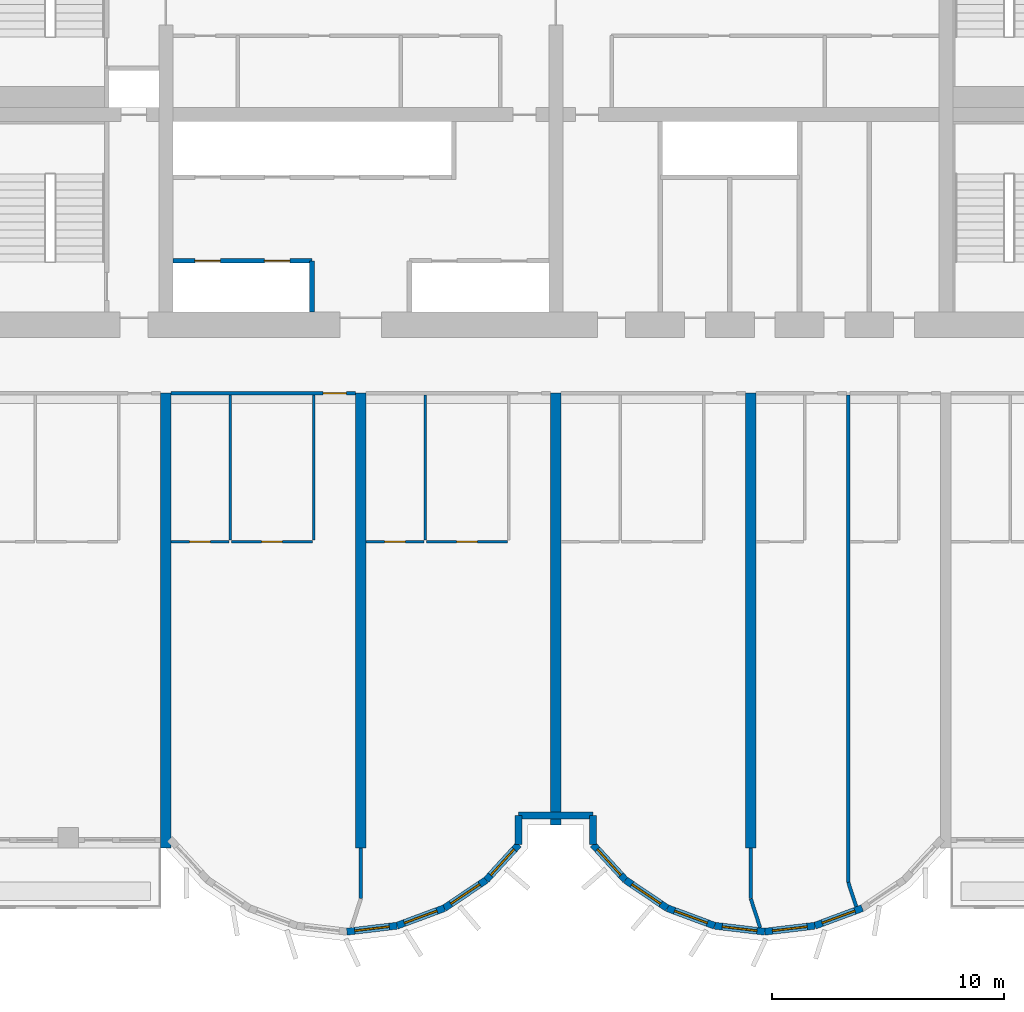
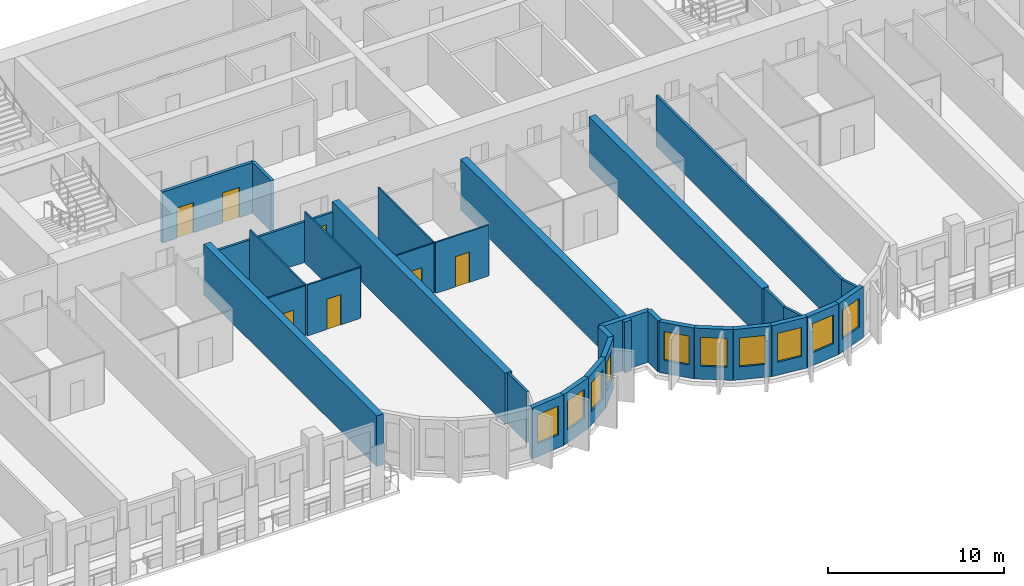
# One storey, part 4 of 14: 32 walls, 10 windows, 7 doors, 17 openings.
"""IFC4 building model written with IfcOpenShell, lengths in metres."""

from ifc_helpers import new_model, si_unit, direction, frame, frame_2d, origin, place, context, subcontext, project, spatial, rectangle, extrude, source, transform, mapped, material, layer, layer_set, type_object, element, fill, save


model = new_model("IFC4")

# Units and contexts
model_context = context("Model", 3, precision=1e-05, world=origin(), true_north=direction((0.0, 1.0)))
body_context = subcontext(model_context, "Body", "Model", "MODEL_VIEW")
ifc_project = project(units=[si_unit("LENGTHUNIT", "METRE"), si_unit("AREAUNIT", "SQUARE_METRE"), si_unit("VOLUMEUNIT", "CUBIC_METRE"), si_unit("PLANEANGLEUNIT", "RADIAN"), si_unit("MASSUNIT", "GRAM", prefix="KILO")], contexts=[model_context])

# Site, building, storey
site_placement = place(None, origin())
site = spatial("IfcSite", under=ifc_project, at=site_placement, CompositionType="ELEMENT")
building_placement = place(site_placement, origin())
building = spatial("IfcBuilding", under=site, at=building_placement, Name="Vanashikhar Sky Hotel", CompositionType="ELEMENT")
storey_placement = place(building_placement, frame((0.0, 0.0, 43.0)))
storey = spatial("IfcBuildingStorey", under=building, at=storey_placement, Name="L09", CompositionType="ELEMENT", Elevation=43.0)

# Walls
ifc_material_1 = material(Name="Concrete M80", Category="concrete")
ifc_layer_1 = layer(ifc_material_1, 0.449951171875)
ifc_layer_set_1 = layer_set([ifc_layer_1], Name="RC shear wall 450 Concrete M80")
wall_type_1 = type_object("IfcWallType", Name="RC shear wall 450 Concrete M80", PredefinedType="SHEAR", material=ifc_layer_set_1)
shared_shape_1 = source(origin(), body_context, "Body", "SweptSolid", [
    extrude(rectangle(XDim=19.60009765625, YDim=0.449951171875, at=frame_2d((9.800048828125, 0.0))), origin(), (0.0, 0.0, 1.0), 3.52001953125),
])
for number, where, z_axis, x_axis, name in (
    (1, (33.60009765625, 0.0, 0.0), (0.0, 0.0, 1.0), (0.0, 1.0, 0.0), "CW-L09-XW05-1"),
    (2, (42.0, 0.0, 0.0), (0.0, 0.0, 1.0), (0.0, 1.0, 0.0), "CW-L09-XW06-1"),
    (3, (58.800048828125, 0.0, 0.0), (0.0, 0.0, 1.0), (0.0, 1.0, 0.0), "CW-L09-XW08-1"),
):
    element("IfcWall", number, at=place(storey_placement, frame(where, z_axis=z_axis, x_axis=x_axis)), inside=storey, type_object=wall_type_1, Name=name, PredefinedType="SHEAR", context=body_context, shape_type="MappedRepresentation", body=[
        mapped(shared_shape_1, transform((0.0, 0.0, 0.0), scale=1.0)),
    ])
shared_shape_2 = source(origin(), body_context, "Body", "SweptSolid", [
    extrude(rectangle(XDim=18.60009765625, YDim=0.449951171875, at=frame_2d((9.300048828125, 0.0))), origin(), (0.0, 0.0, 1.0), 3.52001953125),
])
wall_1_placement = place(storey_placement, frame((50.39990234375, 1.0, 0.0), z_axis=(0.0, 0.0, 1.0), x_axis=(0.0, 1.0, 0.0)))
element("IfcWall", 4, at=wall_1_placement, inside=storey, type_object=wall_type_1, Name="CW-L09-XW07-1", PredefinedType="SHEAR", context=body_context, shape_type="MappedRepresentation", body=[
    mapped(shared_shape_2, transform((0.0, 0.0, 0.0), scale=1.0)),
])

# Wall, opening, window
ifc_material_2 = material(Name="Concrete M50", Category="concrete")
ifc_layer_2 = layer(ifc_material_2, 0.300048828125)
ifc_layer_set_2 = layer_set([ifc_layer_2], Name="Lobe wall 300")
wall_type_2 = type_object("IfcWallType", Name="Lobe wall 300", PredefinedType="SOLIDWALL", material=ifc_layer_set_2)
shared_shape_3 = source(origin(), body_context, "Body", "SweptSolid", [
    extrude(rectangle(XDim=2.17578125, YDim=0.300048828125, at=frame_2d((1.087890625, 0.0))), origin(), (0.0, 0.0, 1.0), 3.52001953125),
])
wall_2_placement = place(storey_placement, frame((45.59912109375, -2.58349609375, 0.0), z_axis=(0.0, 0.0, 1.0), x_axis=(0.829625727223, 0.558319937607, 0.0)))
wall_2 = element("IfcWall", 5, at=wall_2_placement, inside=storey, type_object=wall_type_2, Name="Lobe wall", PredefinedType="SOLIDWALL", context=body_context, shape_type="MappedRepresentation", body=[
    mapped(shared_shape_3, transform((0.0, 0.0, 0.0), scale=1.0)),
])
shared_shape_4 = source(origin(), body_context, "Body", "SweptSolid", [
    extrude(rectangle(XDim=1.5, YDim=2.0, at=frame_2d((0.75, 1.0))), frame((0.0, 0.16015625, 0.0), z_axis=(0.0, -1.0, 0.0), x_axis=(1.0, 0.0, 0.0)), (0.0, 0.0, 1.0), 0.320068359375),
])
opening_1_placement = place(wall_2_placement, frame((0.337890625, 0.0, 0.89990234375)))
opening_1 = element("IfcOpeningElement", 6, at=opening_1_placement, cuts=wall_2, Name="Opening WN-2", PredefinedType="OPENING", context=body_context, shape_type="MappedRepresentation", body=[
    mapped(shared_shape_4, transform((0.0, 0.0, 0.0), scale=1.0)),
])
ifc_material_3 = material(Name="Glass", Category="glass")
window_type = type_object("IfcWindowType", Name="Lobe window 1500 x 2000", PartitioningType="SINGLE_PANEL", PredefinedType="WINDOW", material=ifc_material_3)
shared_shape_5 = source(origin(), body_context, "Body", "SweptSolid", [
    extrude(rectangle(XDim=1.5, YDim=2.0, at=frame_2d((0.75, 1.0))), frame((0.0, 0.030029296875, 0.0), z_axis=(0.0, -1.0, 0.0), x_axis=(1.0, 0.0, 0.0)), (0.0, 0.0, 1.0), 0.06005859375),
])
window_1_placement = place(opening_1_placement, origin())
window_1 = element("IfcWindow", 7, at=window_1_placement, inside=storey, type_object=window_type, Name="Window WN-2", OverallHeight=2.0, OverallWidth=1.5, PartitioningType="SINGLE_PANEL", PredefinedType="WINDOW", context=body_context, shape_type="MappedRepresentation", body=[
    mapped(shared_shape_5, transform((0.0, 0.0, 0.0), scale=1.0)),
])
fill(opening_1, window_1)

wall_3_placement = place(storey_placement, frame((53.395751953125, -1.36865234375, 0.0), z_axis=(0.0, 0.0, 1.0), x_axis=(0.829590746428, -0.558371913192, 0.0)))
wall_3 = element("IfcWall", 8, at=wall_3_placement, inside=storey, type_object=wall_type_2, Name="Lobe wall", PredefinedType="SOLIDWALL", context=body_context, shape_type="MappedRepresentation", body=[
    mapped(shared_shape_3, transform((0.0, 0.0, 0.0), scale=1.0)),
])
opening_2_placement = place(wall_3_placement, frame((0.337890625, 0.0, 0.89990234375)))
opening_2 = element("IfcOpeningElement", 9, at=opening_2_placement, cuts=wall_3, Name="Opening WN-2", PredefinedType="OPENING", context=body_context, shape_type="MappedRepresentation", body=[
    mapped(shared_shape_4, transform((0.0, 0.0, 0.0), scale=1.0)),
])
window_2_placement = place(opening_2_placement, origin())
window_2 = element("IfcWindow", 10, at=window_2_placement, inside=storey, type_object=window_type, Name="Window WN-2", OverallHeight=2.0, OverallWidth=1.5, PartitioningType="SINGLE_PANEL", PredefinedType="WINDOW", context=body_context, shape_type="MappedRepresentation", body=[
    mapped(shared_shape_5, transform((0.0, 0.0, 0.0), scale=1.0)),
])
fill(opening_2, window_2)

wall_4_placement = place(storey_placement, frame((55.20068359375, -2.58349609375, 0.0), z_axis=(0.0, 0.0, 1.0), x_axis=(0.93754555999, -0.347862505801, 0.0)))
wall_4 = element("IfcWall", 11, at=wall_4_placement, inside=storey, type_object=wall_type_2, Name="Lobe wall", PredefinedType="SOLIDWALL", context=body_context, shape_type="MappedRepresentation", body=[
    mapped(shared_shape_3, transform((0.0, 0.0, 0.0), scale=1.0)),
])
opening_3_placement = place(wall_4_placement, frame((0.337890625, 0.0, 0.89990234375)))
opening_3 = element("IfcOpeningElement", 12, at=opening_3_placement, cuts=wall_4, Name="Opening WN-2", PredefinedType="OPENING", context=body_context, shape_type="MappedRepresentation", body=[
    mapped(shared_shape_4, transform((0.0, 0.0, 0.0), scale=1.0)),
])
window_3_placement = place(opening_3_placement, origin())
window_3 = element("IfcWindow", 13, at=window_3_placement, inside=storey, type_object=window_type, Name="Window WN-2", OverallHeight=2.0, OverallWidth=1.5, PartitioningType="SINGLE_PANEL", PredefinedType="WINDOW", context=body_context, shape_type="MappedRepresentation", body=[
    mapped(shared_shape_5, transform((0.0, 0.0, 0.0), scale=1.0)),
])
fill(opening_3, window_3)

shared_shape_6 = source(origin(), body_context, "Body", "SweptSolid", [
    extrude(rectangle(XDim=2.174560546875, YDim=0.300048828125, at=frame_2d((1.08740234375, 0.0))), origin(), (0.0, 0.0, 1.0), 3.52001953125),
])
wall_5_placement = place(storey_placement, frame((57.240478515625, -3.34033203125, 0.0), z_axis=(0.0, 0.0, 1.0), x_axis=(0.993001132889, -0.118104826659, 0.0)))
wall_5 = element("IfcWall", 14, at=wall_5_placement, inside=storey, type_object=wall_type_2, Name="Lobe wall", PredefinedType="SOLIDWALL", context=body_context, shape_type="MappedRepresentation", body=[
    mapped(shared_shape_6, transform((0.0, 0.0, 0.0), scale=1.0)),
])
opening_4_placement = place(wall_5_placement, frame((0.33740234375, 0.0, 0.89990234375)))
opening_4 = element("IfcOpeningElement", 15, at=opening_4_placement, cuts=wall_5, Name="Opening WN-2", PredefinedType="OPENING", context=body_context, shape_type="MappedRepresentation", body=[
    mapped(shared_shape_4, transform((0.0, 0.0, 0.0), scale=1.0)),
])
window_4_placement = place(opening_4_placement, origin())
window_4 = element("IfcWindow", 16, at=window_4_placement, inside=storey, type_object=window_type, Name="Window WN-2", OverallHeight=2.0, OverallWidth=1.5, PartitioningType="SINGLE_PANEL", PredefinedType="WINDOW", context=body_context, shape_type="MappedRepresentation", body=[
    mapped(shared_shape_5, transform((0.0, 0.0, 0.0), scale=1.0)),
])
fill(opening_4, window_4)

shared_shape_7 = source(origin(), body_context, "Body", "SweptSolid", [
    extrude(rectangle(XDim=2.1748046875, YDim=0.300048828125, at=frame_2d((1.08740234375, 0.0))), origin(), (0.0, 0.0, 1.0), 3.52001953125),
])
wall_6_placement = place(storey_placement, frame((41.39990234375, -3.59716796875, 0.0), z_axis=(0.0, 0.0, 1.0), x_axis=(0.993002698611, 0.118091661648, 0.0)))
wall_6 = element("IfcWall", 17, at=wall_6_placement, inside=storey, type_object=wall_type_2, Name="Lobe wall", PredefinedType="SOLIDWALL", context=body_context, shape_type="MappedRepresentation", body=[
    mapped(shared_shape_7, transform((0.0, 0.0, 0.0), scale=1.0)),
])
opening_5_placement = place(wall_6_placement, frame((0.33740234375, 0.0, 0.89990234375)))
opening_5 = element("IfcOpeningElement", 18, at=opening_5_placement, cuts=wall_6, Name="Opening WN-2", PredefinedType="OPENING", context=body_context, shape_type="MappedRepresentation", body=[
    mapped(shared_shape_4, transform((0.0, 0.0, 0.0), scale=1.0)),
])
window_5_placement = place(opening_5_placement, origin())
window_5 = element("IfcWindow", 19, at=window_5_placement, inside=storey, type_object=window_type, Name="Window WN-2", OverallHeight=2.0, OverallWidth=1.5, PartitioningType="SINGLE_PANEL", PredefinedType="WINDOW", context=body_context, shape_type="MappedRepresentation", body=[
    mapped(shared_shape_5, transform((0.0, 0.0, 0.0), scale=1.0)),
])
fill(opening_5, window_5)

wall_7_placement = place(storey_placement, frame((59.39990234375, -3.59716796875, 0.0), z_axis=(0.0, 0.0, 1.0), x_axis=(0.993002698611, 0.118091661648, 0.0)))
wall_7 = element("IfcWall", 20, at=wall_7_placement, inside=storey, type_object=wall_type_2, Name="Lobe wall", PredefinedType="SOLIDWALL", context=body_context, shape_type="MappedRepresentation", body=[
    mapped(shared_shape_7, transform((0.0, 0.0, 0.0), scale=1.0)),
])
opening_6_placement = place(wall_7_placement, frame((0.33740234375, 0.0, 0.89990234375)))
opening_6 = element("IfcOpeningElement", 21, at=opening_6_placement, cuts=wall_7, Name="Opening WN-2", PredefinedType="OPENING", context=body_context, shape_type="MappedRepresentation", body=[
    mapped(shared_shape_4, transform((0.0, 0.0, 0.0), scale=1.0)),
])
window_6_placement = place(opening_6_placement, origin())
window_6 = element("IfcWindow", 22, at=window_6_placement, inside=storey, type_object=window_type, Name="Window WN-2", OverallHeight=2.0, OverallWidth=1.5, PartitioningType="SINGLE_PANEL", PredefinedType="WINDOW", context=body_context, shape_type="MappedRepresentation", body=[
    mapped(shared_shape_5, transform((0.0, 0.0, 0.0), scale=1.0)),
])
fill(opening_6, window_6)

shared_shape_8 = source(origin(), body_context, "Body", "SweptSolid", [
    extrude(rectangle(XDim=2.175537109375, YDim=0.300048828125, at=frame_2d((1.087890625, 0.0))), origin(), (0.0, 0.0, 1.0), 3.52001953125),
])
wall_8_placement = place(storey_placement, frame((43.5595703125, -3.34033203125, 0.0), z_axis=(0.0, 0.0, 1.0), x_axis=(0.937531979054, 0.347899106424, 0.0)))
wall_8 = element("IfcWall", 23, at=wall_8_placement, inside=storey, type_object=wall_type_2, Name="Lobe wall", PredefinedType="SOLIDWALL", context=body_context, shape_type="MappedRepresentation", body=[
    mapped(shared_shape_8, transform((0.0, 0.0, 0.0), scale=1.0)),
])
opening_7_placement = place(wall_8_placement, frame((0.337890625, 0.0, 0.89990234375)))
opening_7 = element("IfcOpeningElement", 24, at=opening_7_placement, cuts=wall_8, Name="Opening WN-2", PredefinedType="OPENING", context=body_context, shape_type="MappedRepresentation", body=[
    mapped(shared_shape_4, transform((0.0, 0.0, 0.0), scale=1.0)),
])
window_7_placement = place(opening_7_placement, origin())
window_7 = element("IfcWindow", 25, at=window_7_placement, inside=storey, type_object=window_type, Name="Window WN-2", OverallHeight=2.0, OverallWidth=1.5, PartitioningType="SINGLE_PANEL", PredefinedType="WINDOW", context=body_context, shape_type="MappedRepresentation", body=[
    mapped(shared_shape_5, transform((0.0, 0.0, 0.0), scale=1.0)),
])
fill(opening_7, window_7)

wall_9_placement = place(storey_placement, frame((61.5595703125, -3.34033203125, 0.0), z_axis=(0.0, 0.0, 1.0), x_axis=(0.937531979054, 0.347899106424, 0.0)))
wall_9 = element("IfcWall", 26, at=wall_9_placement, inside=storey, type_object=wall_type_2, Name="Lobe wall", PredefinedType="SOLIDWALL", context=body_context, shape_type="MappedRepresentation", body=[
    mapped(shared_shape_8, transform((0.0, 0.0, 0.0), scale=1.0)),
])
opening_8_placement = place(wall_9_placement, frame((0.337890625, 0.0, 0.89990234375)))
opening_8 = element("IfcOpeningElement", 27, at=opening_8_placement, cuts=wall_9, Name="Opening WN-2", PredefinedType="OPENING", context=body_context, shape_type="MappedRepresentation", body=[
    mapped(shared_shape_4, transform((0.0, 0.0, 0.0), scale=1.0)),
])
window_8_placement = place(opening_8_placement, origin())
window_8 = element("IfcWindow", 28, at=window_8_placement, inside=storey, type_object=window_type, Name="Window WN-2", OverallHeight=2.0, OverallWidth=1.5, PartitioningType="SINGLE_PANEL", PredefinedType="WINDOW", context=body_context, shape_type="MappedRepresentation", body=[
    mapped(shared_shape_5, transform((0.0, 0.0, 0.0), scale=1.0)),
])
fill(opening_8, window_8)

shared_shape_9 = source(origin(), body_context, "Body", "SweptSolid", [
    extrude(rectangle(XDim=2.066650390625, YDim=0.300048828125, at=frame_2d((1.033203125, 0.0))), origin(), (0.0, 0.0, 1.0), 3.52001953125),
])
wall_10_placement = place(storey_placement, frame((47.404296875, -1.36865234375, 0.0), z_axis=(0.0, 0.0, 1.0), x_axis=(0.675355439877, 0.737492393065, 0.0)))
wall_10 = element("IfcWall", 29, at=wall_10_placement, inside=storey, type_object=wall_type_2, Name="Lobe wall", PredefinedType="SOLIDWALL", context=body_context, shape_type="MappedRepresentation", body=[
    mapped(shared_shape_9, transform((0.0, 0.0, 0.0), scale=1.0)),
])
opening_9_placement = place(wall_10_placement, frame((0.283447265625, 0.0, 0.89990234375)))
opening_9 = element("IfcOpeningElement", 30, at=opening_9_placement, cuts=wall_10, Name="Opening WN-2", PredefinedType="OPENING", context=body_context, shape_type="MappedRepresentation", body=[
    mapped(shared_shape_4, transform((0.0, 0.0, 0.0), scale=1.0)),
])
window_9_placement = place(opening_9_placement, origin())
window_9 = element("IfcWindow", 31, at=window_9_placement, inside=storey, type_object=window_type, Name="Window WN-2", OverallHeight=2.0, OverallWidth=1.5, PartitioningType="SINGLE_PANEL", PredefinedType="WINDOW", context=body_context, shape_type="MappedRepresentation", body=[
    mapped(shared_shape_5, transform((0.0, 0.0, 0.0), scale=1.0)),
])
fill(opening_9, window_9)

wall_11_placement = place(storey_placement, frame((52.0, 0.155517578125, 0.0), z_axis=(0.0, 0.0, 1.0), x_axis=(0.675355439877, -0.737492393065, 0.0)))
wall_11 = element("IfcWall", 32, at=wall_11_placement, inside=storey, type_object=wall_type_2, Name="Lobe wall", PredefinedType="SOLIDWALL", context=body_context, shape_type="MappedRepresentation", body=[
    mapped(shared_shape_9, transform((0.0, 0.0, 0.0), scale=1.0)),
])
opening_10_placement = place(wall_11_placement, frame((0.283447265625, 0.0, 0.89990234375)))
opening_10 = element("IfcOpeningElement", 33, at=opening_10_placement, cuts=wall_11, Name="Opening WN-2", PredefinedType="OPENING", context=body_context, shape_type="MappedRepresentation", body=[
    mapped(shared_shape_4, transform((0.0, 0.0, 0.0), scale=1.0)),
])
window_10_placement = place(opening_10_placement, origin())
window_10 = element("IfcWindow", 34, at=window_10_placement, inside=storey, type_object=window_type, Name="Window WN-2", OverallHeight=2.0, OverallWidth=1.5, PartitioningType="SINGLE_PANEL", PredefinedType="WINDOW", context=body_context, shape_type="MappedRepresentation", body=[
    mapped(shared_shape_5, transform((0.0, 0.0, 0.0), scale=1.0)),
])
fill(opening_10, window_10)

# Walls
shared_shape_10 = source(origin(), body_context, "Body", "SweptSolid", [
    extrude(rectangle(XDim=1.244384765625, YDim=0.300048828125, at=frame_2d((0.6220703125, 0.0))), origin(), (0.0, 0.0, 1.0), 3.52001953125),
])
for number, where, z_axis, x_axis, name in (
    (35, (48.800048828125, 0.155517578125, 0.0), (0.0, 0.0, 1.0), (0.0, 1.0, 0.0), "Groove wall"),
    (36, (52.0, 1.39990234375, 0.0), (0.0, 0.0, 1.0), (0.0, -1.0, 0.0), "Groove wall"),
):
    element("IfcWall", number, at=place(storey_placement, frame(where, z_axis=z_axis, x_axis=x_axis)), inside=storey, type_object=wall_type_2, Name=name, PredefinedType="SOLIDWALL", context=body_context, shape_type="MappedRepresentation", body=[
        mapped(shared_shape_10, transform((0.0, 0.0, 0.0), scale=1.0)),
    ])
shared_shape_11 = source(origin(), body_context, "Body", "SweptSolid", [
    extrude(rectangle(XDim=3.199951171875, YDim=0.300048828125, at=frame_2d((1.60009765625, 0.0))), origin(), (0.0, 0.0, 1.0), 3.52001953125),
])
wall_12_placement = place(storey_placement, frame((48.800048828125, 1.39990234375, 0.0), z_axis=(0.0, 0.0, 1.0), x_axis=(1.0, 0.0, 0.0)))
element("IfcWall", 37, at=wall_12_placement, inside=storey, type_object=wall_type_2, Name="Groove wall", PredefinedType="SOLIDWALL", context=body_context, shape_type="MappedRepresentation", body=[
    mapped(shared_shape_11, transform((0.0, 0.0, 0.0), scale=1.0)),
])

# Wall, openings, doors
ifc_material_4 = material(Name="Concrete M40", Category="concrete")
ifc_layer_3 = layer(ifc_material_4, 0.199951171875)
ifc_layer_set_3 = layer_set([ifc_layer_3], Name="Shaft wall 200")
wall_type_3 = type_object("IfcWallType", Name="Shaft wall 200", PredefinedType="SOLIDWALL", material=ifc_layer_set_3)
shared_shape_12 = source(origin(), body_context, "Body", "SweptSolid", [
    extrude(rectangle(XDim=6.0, YDim=0.199951171875, at=frame_2d((3.0, 0.0))), origin(), (0.0, 0.0, 1.0), 3.52001953125),
])
wall_13_placement = place(storey_placement, frame((33.89990234375, 25.300048828125, 0.0), z_axis=(0.0, 0.0, 1.0), x_axis=(1.0, 0.0, 0.0)))
wall_13 = element("IfcWall", 38, at=wall_13_placement, inside=storey, type_object=wall_type_3, Name="Shaft wall 200", PredefinedType="SOLIDWALL", context=body_context, shape_type="MappedRepresentation", body=[
    mapped(shared_shape_12, transform((0.0, 0.0, 0.0), scale=1.0)),
])
shared_shape_13 = source(origin(), body_context, "Body", "SweptSolid", [
    extrude(rectangle(XDim=1.10009765625, YDim=2.10009765625, at=frame_2d((0.550048828125, 1.050048828125))), frame((0.0, 0.10986328125, 0.0), z_axis=(0.0, -1.0, 0.0), x_axis=(1.0, 0.0, 0.0)), (0.0, 0.0, 1.0), 0.219970703125),
])
opening_11_placement = place(wall_13_placement, frame((0.949951171875, 0.0, 0.0)))
opening_11 = element("IfcOpeningElement", 39, at=opening_11_placement, cuts=wall_13, Name="Opening LD", PredefinedType="OPENING", context=body_context, shape_type="MappedRepresentation", body=[
    mapped(shared_shape_13, transform((0.0, 0.0, 0.0), scale=1.0)),
])
opening_12_placement = place(wall_13_placement, frame((3.949951171875, 0.0, 0.0)))
opening_12 = element("IfcOpeningElement", 40, at=opening_12_placement, cuts=wall_13, Name="Opening LD", PredefinedType="OPENING", context=body_context, shape_type="MappedRepresentation", body=[
    mapped(shared_shape_13, transform((0.0, 0.0, 0.0), scale=1.0)),
])
ifc_material_5 = material(Name="Stainless steel", Category="steel")
door_type_1 = type_object("IfcDoorType", Name="Lift landing door 1100", OperationType="NOTDEFINED", PredefinedType="DOOR", material=ifc_material_5)
shared_shape_14 = source(origin(), body_context, "Body", "SweptSolid", [
    extrude(rectangle(XDim=1.10009765625, YDim=2.10009765625, at=frame_2d((0.550048828125, 1.050048828125))), frame((0.0, 0.02490234375, 0.0), z_axis=(0.0, -1.0, 0.0), x_axis=(1.0, 0.0, 0.0)), (0.0, 0.0, 1.0), 0.050048828125),
])
door_1_placement = place(opening_11_placement, origin())
door_1 = element("IfcDoor", 41, at=door_1_placement, inside=storey, type_object=door_type_1, Name="Lift landing door 1100", OperationType="SLIDING_TO_LEFT", OverallHeight=2.10009765625, OverallWidth=1.10009765625, PredefinedType="DOOR", context=body_context, shape_type="MappedRepresentation", body=[
    mapped(shared_shape_14, transform((0.0, 0.0, 0.0), scale=1.0)),
])
fill(opening_11, door_1)
door_2_placement = place(opening_12_placement, origin())
door_2 = element("IfcDoor", 42, at=door_2_placement, inside=storey, type_object=door_type_1, Name="Lift landing door 1100", OperationType="SLIDING_TO_RIGHT", OverallHeight=2.10009765625, OverallWidth=1.10009765625, PredefinedType="DOOR", context=body_context, shape_type="MappedRepresentation", body=[
    mapped(shared_shape_14, transform((0.0, 0.0, 0.0), scale=1.0)),
])
fill(opening_12, door_2)

# Walls
shared_shape_15 = source(origin(), body_context, "Body", "SweptSolid", [
    extrude(rectangle(XDim=2.199951171875, YDim=0.199951171875, at=frame_2d((1.10009765625, 0.0))), origin(), (0.0, 0.0, 1.0), 3.52001953125),
])
wall_14_placement = place(storey_placement, frame((39.89990234375, 23.10009765625, 0.0), z_axis=(0.0, 0.0, 1.0), x_axis=(0.0, 1.0, 0.0)))
element("IfcWall", 43, at=wall_14_placement, inside=storey, type_object=wall_type_3, Name="Shaft wall 200", PredefinedType="SOLIDWALL", context=body_context, shape_type="MappedRepresentation", body=[
    mapped(shared_shape_15, transform((0.0, 0.0, 0.0), scale=1.0)),
])
ifc_material_6 = material(Name="Gypsum plasterboard partition")
ifc_layer_4 = layer(ifc_material_6, 0.14990234375)
ifc_layer_set_4 = layer_set([ifc_layer_4], Name="Corridor and demising partition 150")
wall_type_4 = type_object("IfcWallType", Name="Corridor and demising partition 150", PredefinedType="PARTITIONING", material=ifc_layer_set_4)
shared_shape_16 = source(origin(), body_context, "Body", "SweptSolid", [
    extrude(rectangle(XDim=20.997802734375, YDim=0.14990234375, at=frame_2d((10.4990234375, 0.0))), origin(), (0.0, 0.0, 1.0), 3.52001953125),
])
wall_15_placement = place(storey_placement, frame((63.0, -1.472900390625, 0.0), z_axis=(0.0, 0.0, 1.0), x_axis=(0.0, 1.0, 0.0)))
element("IfcWall", 44, at=wall_15_placement, inside=storey, type_object=wall_type_4, Name="W-L09-PW044", PredefinedType="PARTITIONING", context=body_context, shape_type="MappedRepresentation", body=[
    mapped(shared_shape_16, transform((0.0, 0.0, 0.0), scale=1.0)),
])
shared_shape_17 = source(origin(), body_context, "Body", "SweptSolid", [
    extrude(rectangle(XDim=2.177978515625, YDim=0.14990234375, at=frame_2d((1.0888671875, 0.0))), origin(), (0.0, 0.0, 1.0), 3.52001953125),
])
for number, where, z_axis, x_axis, name in (
    (45, (42.0, -2.177978515625, 0.0), (0.0, 0.0, 1.0), (0.0, 1.0, 0.0), "W-L09-PW068"),
    (46, (58.800048828125, -2.177978515625, 0.0), (0.0, 0.0, 1.0), (0.0, 1.0, 0.0), "W-L09-PW069"),
):
    element("IfcWall", number, at=place(storey_placement, frame(where, z_axis=z_axis, x_axis=x_axis)), inside=storey, type_object=wall_type_4, Name=name, PredefinedType="PARTITIONING", context=body_context, shape_type="MappedRepresentation", body=[
        mapped(shared_shape_17, transform((0.0, 0.0, 0.0), scale=1.0)),
    ])

# Wall, opening, door
ifc_layer_5 = layer(ifc_material_6, 0.10009765625)
ifc_layer_set_5 = layer_set([ifc_layer_5], Name="Wet room partition 100")
wall_type_5 = type_object("IfcWallType", Name="Wet room partition 100", PredefinedType="PARTITIONING", material=ifc_layer_set_5)
shared_shape_18 = source(origin(), body_context, "Body", "SweptSolid", [
    extrude(rectangle(XDim=3.5, YDim=0.10009765625, at=frame_2d((1.75, 0.0))), origin(), (0.0, 0.0, 1.0), 3.52001953125),
])
wall_16_placement = place(storey_placement, frame((36.425048828125, 13.199951171875, 0.0), z_axis=(0.0, 0.0, 1.0), x_axis=(1.0, 0.0, 0.0)))
wall_16 = element("IfcWall", 47, at=wall_16_placement, inside=storey, type_object=wall_type_5, Name="W-L09-PW025", PredefinedType="PARTITIONING", context=body_context, shape_type="MappedRepresentation", body=[
    mapped(shared_shape_18, transform((0.0, 0.0, 0.0), scale=1.0)),
])
shared_shape_19 = source(origin(), body_context, "Body", "SweptSolid", [
    extrude(rectangle(XDim=0.89990234375, YDim=2.10009765625, at=frame_2d((0.449951171875, 1.050048828125))), frame((0.0, 0.06005859375, 0.0), z_axis=(0.0, -1.0, 0.0), x_axis=(1.0, 0.0, 0.0)), (0.0, 0.0, 1.0), 0.1201171875),
])
opening_13_placement = place(wall_16_placement, frame((1.300048828125, 0.0, 0.0)))
opening_13 = element("IfcOpeningElement", 48, at=opening_13_placement, cuts=wall_16, Name="Opening D-02", PredefinedType="OPENING", context=body_context, shape_type="MappedRepresentation", body=[
    mapped(shared_shape_19, transform((0.0, 0.0, 0.0), scale=1.0)),
])
ifc_material_7 = material(Name="Timber door", Category="wood")
door_type_2 = type_object("IfcDoorType", Name="Internal door 900", OperationType="NOTDEFINED", PredefinedType="DOOR", material=ifc_material_7)
shared_shape_20 = source(origin(), body_context, "Body", "SweptSolid", [
    extrude(rectangle(XDim=0.89990234375, YDim=2.10009765625, at=frame_2d((0.449951171875, 1.050048828125))), frame((0.0, 0.02490234375, 0.0), z_axis=(0.0, -1.0, 0.0), x_axis=(1.0, 0.0, 0.0)), (0.0, 0.0, 1.0), 0.050048828125),
])
door_3_placement = place(opening_13_placement, origin())
door_3 = element("IfcDoor", 49, at=door_3_placement, inside=storey, type_object=door_type_2, Name="D-L09-014", OperationType="SINGLE_SWING_RIGHT", OverallHeight=2.10009765625, OverallWidth=0.89990234375, PredefinedType="DOOR", context=body_context, shape_type="MappedRepresentation", body=[
    mapped(shared_shape_20, transform((0.0, 0.0, 0.0), scale=1.0)),
])
fill(opening_13, door_3)

wall_17_placement = place(storey_placement, frame((44.824951171875, 13.199951171875, 0.0), z_axis=(0.0, 0.0, 1.0), x_axis=(1.0, 0.0, 0.0)))
wall_17 = element("IfcWall", 50, at=wall_17_placement, inside=storey, type_object=wall_type_5, Name="W-L09-PW030", PredefinedType="PARTITIONING", context=body_context, shape_type="MappedRepresentation", body=[
    mapped(shared_shape_18, transform((0.0, 0.0, 0.0), scale=1.0)),
])
opening_14_placement = place(wall_17_placement, frame((1.300048828125, 0.0, 0.0)))
opening_14 = element("IfcOpeningElement", 51, at=opening_14_placement, cuts=wall_17, Name="Opening D-02", PredefinedType="OPENING", context=body_context, shape_type="MappedRepresentation", body=[
    mapped(shared_shape_19, transform((0.0, 0.0, 0.0), scale=1.0)),
])
door_4_placement = place(opening_14_placement, origin())
door_4 = element("IfcDoor", 52, at=door_4_placement, inside=storey, type_object=door_type_2, Name="D-L09-017", OperationType="SINGLE_SWING_RIGHT", OverallHeight=2.10009765625, OverallWidth=0.89990234375, PredefinedType="DOOR", context=body_context, shape_type="MappedRepresentation", body=[
    mapped(shared_shape_20, transform((0.0, 0.0, 0.0), scale=1.0)),
])
fill(opening_14, door_4)

# Walls
shared_shape_21 = source(origin(), body_context, "Body", "SweptSolid", [
    extrude(rectangle(XDim=1.100830078125, YDim=0.14990234375, at=frame_2d((0.55029296875, 0.0))), origin(), (0.0, 0.0, 1.0), 3.52001953125),
])
wall_18_placement = place(storey_placement, frame((63.343017578125, -2.51904296875, 0.0), z_axis=(0.0, 0.0, 1.0), x_axis=(-0.311567081539, 0.950224159712, 0.0)))
element("IfcWall", 53, at=wall_18_placement, inside=storey, type_object=wall_type_4, Name="W-L09-PW044B0", PredefinedType="PARTITIONING", context=body_context, shape_type="MappedRepresentation", body=[
    mapped(shared_shape_21, transform((0.0, 0.0, 0.0), scale=1.0)),
])
shared_shape_22 = source(origin(), body_context, "Body", "SweptSolid", [
    extrude(rectangle(XDim=1.308349609375, YDim=0.14990234375, at=frame_2d((0.654296875, 0.0))), origin(), (0.0, 0.0, 1.0), 3.52001953125),
])
wall_19_placement = place(storey_placement, frame((59.201904296875, -3.423095703125, 0.0), z_axis=(0.0, 0.0, 1.0), x_axis=(-0.307144529633, 0.951662880392, 0.0)))
element("IfcWall", 54, at=wall_19_placement, inside=storey, type_object=wall_type_4, Name="W-L09-PW069B0", PredefinedType="PARTITIONING", context=body_context, shape_type="MappedRepresentation", body=[
    mapped(shared_shape_22, transform((0.0, 0.0, 0.0), scale=1.0)),
])
shared_shape_23 = source(origin(), body_context, "Body", "SweptSolid", [
    extrude(rectangle(XDim=6.25, YDim=0.10009765625, at=frame_2d((3.125, 0.0))), origin(), (0.0, 0.0, 1.0), 3.52001953125),
])
for number, where, z_axis, x_axis, name in (
    (55, (39.97509765625, 13.27490234375, 0.0), (0.0, 0.0, 1.0), (0.0, 1.0, 0.0), "W-L09-PW023"),
    (56, (36.375, 13.27490234375, 0.0), (0.0, 0.0, 1.0), (0.0, 1.0, 0.0), "W-L09-PW024"),
    (57, (44.77490234375, 13.27490234375, 0.0), (0.0, 0.0, 1.0), (0.0, 1.0, 0.0), "W-L09-PW029"),
):
    element("IfcWall", number, at=place(storey_placement, frame(where, z_axis=z_axis, x_axis=x_axis)), inside=storey, type_object=wall_type_5, Name=name, PredefinedType="PARTITIONING", context=body_context, shape_type="MappedRepresentation", body=[
        mapped(shared_shape_23, transform((0.0, 0.0, 0.0), scale=1.0)),
    ])

# Wall, opening, door
shared_shape_24 = source(origin(), body_context, "Body", "SweptSolid", [
    extrude(rectangle(XDim=2.5, YDim=0.10009765625, at=frame_2d((1.25, 0.0))), origin(), (0.0, 0.0, 1.0), 3.52001953125),
])
wall_20_placement = place(storey_placement, frame((33.824951171875, 13.199951171875, 0.0), z_axis=(0.0, 0.0, 1.0), x_axis=(1.0, 0.0, 0.0)))
wall_20 = element("IfcWall", 58, at=wall_20_placement, inside=storey, type_object=wall_type_5, Name="W-L09-PW026", PredefinedType="PARTITIONING", context=body_context, shape_type="MappedRepresentation", body=[
    mapped(shared_shape_24, transform((0.0, 0.0, 0.0), scale=1.0)),
])
opening_15_placement = place(wall_20_placement, frame((0.800048828125, 0.0, 0.0)))
opening_15 = element("IfcOpeningElement", 59, at=opening_15_placement, cuts=wall_20, Name="Opening D-02", PredefinedType="OPENING", context=body_context, shape_type="MappedRepresentation", body=[
    mapped(shared_shape_19, transform((0.0, 0.0, 0.0), scale=1.0)),
])
door_5_placement = place(opening_15_placement, origin())
door_5 = element("IfcDoor", 60, at=door_5_placement, inside=storey, type_object=door_type_2, Name="D-L09-015", OperationType="SINGLE_SWING_RIGHT", OverallHeight=2.10009765625, OverallWidth=0.89990234375, PredefinedType="DOOR", context=body_context, shape_type="MappedRepresentation", body=[
    mapped(shared_shape_20, transform((0.0, 0.0, 0.0), scale=1.0)),
])
fill(opening_15, door_5)

wall_21_placement = place(storey_placement, frame((42.22509765625, 13.199951171875, 0.0), z_axis=(0.0, 0.0, 1.0), x_axis=(1.0, 0.0, 0.0)))
wall_21 = element("IfcWall", 61, at=wall_21_placement, inside=storey, type_object=wall_type_5, Name="W-L09-PW031", PredefinedType="PARTITIONING", context=body_context, shape_type="MappedRepresentation", body=[
    mapped(shared_shape_24, transform((0.0, 0.0, 0.0), scale=1.0)),
])
opening_16_placement = place(wall_21_placement, frame((0.800048828125, 0.0, 0.0)))
opening_16 = element("IfcOpeningElement", 62, at=opening_16_placement, cuts=wall_21, Name="Opening D-02", PredefinedType="OPENING", context=body_context, shape_type="MappedRepresentation", body=[
    mapped(shared_shape_19, transform((0.0, 0.0, 0.0), scale=1.0)),
])
door_6_placement = place(opening_16_placement, origin())
door_6 = element("IfcDoor", 63, at=door_6_placement, inside=storey, type_object=door_type_2, Name="D-L09-018", OperationType="SINGLE_SWING_RIGHT", OverallHeight=2.10009765625, OverallWidth=0.89990234375, PredefinedType="DOOR", context=body_context, shape_type="MappedRepresentation", body=[
    mapped(shared_shape_20, transform((0.0, 0.0, 0.0), scale=1.0)),
])
fill(opening_16, door_6)

shared_shape_25 = source(origin(), body_context, "Body", "SweptSolid", [
    extrude(rectangle(XDim=7.949951171875, YDim=0.14990234375, at=frame_2d((3.97509765625, 0.0))), origin(), (0.0, 0.0, 1.0), 2.820068359375),
])
wall_22_placement = place(storey_placement, frame((33.824951171875, 19.60009765625, 0.0), z_axis=(0.0, 0.0, 1.0), x_axis=(1.0, 0.0, 0.0)))
wall_22 = element("IfcWall", 64, at=wall_22_placement, inside=storey, type_object=wall_type_4, Name="W-L09-PW027", PredefinedType="PARTITIONING", context=body_context, shape_type="MappedRepresentation", body=[
    mapped(shared_shape_25, transform((0.0, 0.0, 0.0), scale=1.0)),
])
shared_shape_26 = source(origin(), body_context, "Body", "SweptSolid", [
    extrude(rectangle(XDim=1.0, YDim=2.10009765625, at=frame_2d((0.5, 1.050048828125))), frame((0.0, 0.0849609375, 0.0), z_axis=(0.0, -1.0, 0.0), x_axis=(1.0, 0.0, 0.0)), (0.0, 0.0, 1.0), 0.169921875),
])
opening_17_placement = place(wall_22_placement, frame((6.550048828125, 0.0, 0.0)))
opening_17 = element("IfcOpeningElement", 65, at=opening_17_placement, cuts=wall_22, Name="Opening D-01", PredefinedType="OPENING", context=body_context, shape_type="MappedRepresentation", body=[
    mapped(shared_shape_26, transform((0.0, 0.0, 0.0), scale=1.0)),
])
ifc_material_8 = material(Name="Timber fire door", Category="wood")
door_type_3 = type_object("IfcDoorType", Name="Guest entry door 1000 FD30S", OperationType="NOTDEFINED", PredefinedType="DOOR", material=ifc_material_8)
shared_shape_27 = source(origin(), body_context, "Body", "SweptSolid", [
    extrude(rectangle(XDim=1.0, YDim=2.10009765625, at=frame_2d((0.5, 1.050048828125))), frame((0.0, 0.02490234375, 0.0), z_axis=(0.0, -1.0, 0.0), x_axis=(1.0, 0.0, 0.0)), (0.0, 0.0, 1.0), 0.050048828125),
])
door_7_placement = place(opening_17_placement, origin())
door_7 = element("IfcDoor", 66, at=door_7_placement, inside=storey, type_object=door_type_3, Name="D-L09-016", OperationType="SINGLE_SWING_RIGHT", OverallHeight=2.10009765625, OverallWidth=1.0, PredefinedType="DOOR", context=body_context, shape_type="MappedRepresentation", body=[
    mapped(shared_shape_27, transform((0.0, 0.0, 0.0), scale=1.0)),
])
fill(opening_17, door_7)

save(model, "model.ifc")
